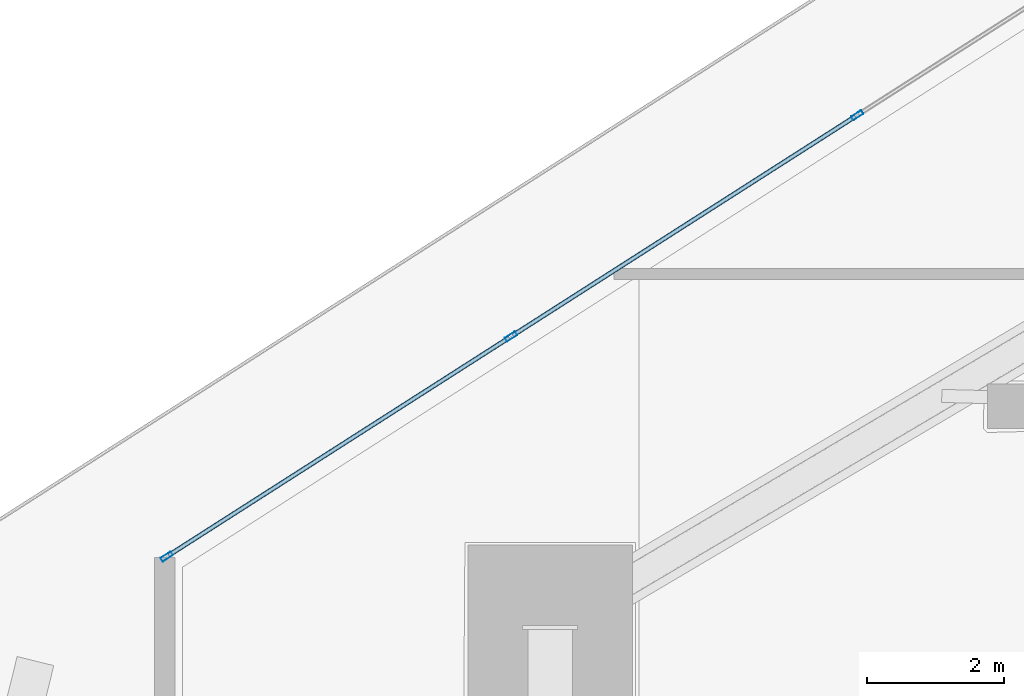
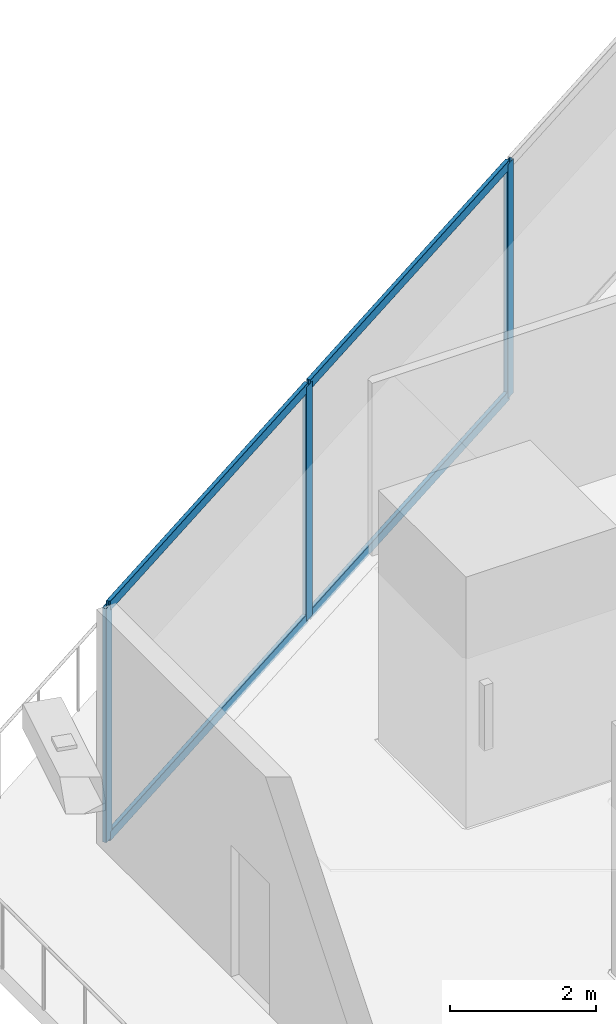
# One storey, part 12 of 43: 7 members, 1 element without a shape of its own.
"""IFC4 building model written with IfcOpenShell, lengths in metres."""

from ifc_helpers import new_model, si_unit, direction, frame, origin, origin_2d, place, context, subcontext, project, spatial, hollow_rectangle, extrude, material, layer, layer_set, material_profile, profile_set, type_object, element, aggregate, save


model = new_model("IFC4")

# Units and contexts
model_context = context("Model", 3, precision=1e-05, world=origin(), true_north=direction((0.0, 1.0)))
body_context = subcontext(model_context, "Body", "Model", "MODEL_VIEW")
ifc_project = project(units=[si_unit("LENGTHUNIT", "METRE"), si_unit("AREAUNIT", "SQUARE_METRE"), si_unit("VOLUMEUNIT", "CUBIC_METRE"), si_unit("PLANEANGLEUNIT", "RADIAN"), si_unit("MASSUNIT", "GRAM", prefix="KILO")], contexts=[model_context])

# Site, building, storey
site_placement = place(None, origin())
site = spatial("IfcSite", under=ifc_project, at=site_placement, CompositionType="ELEMENT")
building_placement = place(site_placement, origin())
building = spatial("IfcBuilding", under=site, at=building_placement, Name="Qorvath Tower", CompositionType="ELEMENT")
storey_placement = place(building_placement, frame((0.0, 0.0, 36.60009765625)))
storey = spatial("IfcBuildingStorey", under=building, at=storey_placement, Name="L07", CompositionType="ELEMENT", Elevation=36.60009765625)

# Curtain wall, members
ifc_material_1 = material(Name="Anodised aluminium and triple low-E glass", Category="aluminium")
ifc_layer = layer(ifc_material_1, 0.179931640625)
ifc_layer_set = layer_set([ifc_layer], Name="CW-SYS-2")
curtain_wall_type = type_object("IfcCurtainWallType", Name="CW-SYS-2", PredefinedType="NOTDEFINED", material=ifc_layer_set)
curtain_wall_placement = place(storey_placement, origin())
curtain_wall = element("IfcCurtainWall", 1, at=curtain_wall_placement, inside=storey, type_object=curtain_wall_type, Name="Curtain Wall CW-2 CW-T-L07-16.3", PredefinedType="NOTDEFINED")
ifc_material_2 = material(Name="Anodised aluminium 6063-T6", Category="aluminium")
ifc_material_profile_1 = material_profile(ifc_material_2, hollow_rectangle(XDim=0.06494140625, YDim=0.179931640625, WallThickness=0.00341796875, InnerFilletRadius=0.00341796875, OuterFilletRadius=0.007080078125, at=origin_2d()), Name="CWM 180x65")
ifc_profile_set_1 = profile_set([ifc_material_profile_1], Name="Anodised aluminium 6063-T6")
member_type_1 = type_object("IfcMemberType", Name="CWM-180", PredefinedType="MULLION", material=ifc_profile_set_1)
member_1_placement = place(storey_placement, frame((-50.80224609375, 10.66748046875, 0.0), z_axis=(0.0, 0.0, 1.0), x_axis=(0.538528741164, -0.84260714152, 0.0)))
member_1 = element("IfcMember", 2, at=member_1_placement, type_object=member_type_1, Name="CW-2 mullion 3", PredefinedType="MULLION", context=body_context, shape_type="SweptSolid", body=[
    extrude(hollow_rectangle(XDim=0.06494140625, YDim=0.179931640625, WallThickness=0.00341796875, InnerFilletRadius=0.00341796875, OuterFilletRadius=0.007080078125, at=origin_2d()), origin(), (0.0, 0.0, 1.0), 3.919921875),
])
member_2_placement = place(storey_placement, frame((-55.852294921875, 7.43994140625, 0.0), z_axis=(0.0, 0.0, 1.0), x_axis=(0.538528741164, -0.84260714152, 0.0)))
member_2 = element("IfcMember", 3, at=member_2_placement, type_object=member_type_1, Name="CW-2 mullion 4", PredefinedType="MULLION", context=body_context, shape_type="SweptSolid", body=[
    extrude(hollow_rectangle(XDim=0.06494140625, YDim=0.179931640625, WallThickness=0.00341796875, InnerFilletRadius=0.00341796875, OuterFilletRadius=0.007080078125, at=origin_2d()), origin(), (0.0, 0.0, 1.0), 3.919921875),
])
member_3_placement = place(storey_placement, frame((-60.875, 4.22998046875, 0.0), z_axis=(0.0, 0.0, 1.0), x_axis=(0.538528741164, -0.84260714152, 0.0)))
member_3 = element("IfcMember", 4, at=member_3_placement, type_object=member_type_1, Name="CW-2 mullion 5", PredefinedType="MULLION", context=body_context, shape_type="SweptSolid", body=[
    extrude(hollow_rectangle(XDim=0.06494140625, YDim=0.179931640625, WallThickness=0.00341796875, InnerFilletRadius=0.00341796875, OuterFilletRadius=0.007080078125, at=origin_2d()), origin(), (0.0, 0.0, 1.0), 3.919921875),
])
ifc_material_3 = material(Name="Anodised aluminium 6063-T6", Category="aluminium")
ifc_material_profile_2 = material_profile(ifc_material_3, hollow_rectangle(XDim=0.06494140625, YDim=0.159912109375, WallThickness=0.00341796875, InnerFilletRadius=0.00341796875, OuterFilletRadius=0.007080078125, at=origin_2d()), Name="CWT 160x65")
ifc_profile_set_2 = profile_set([ifc_material_profile_2], Name="Anodised aluminium 6063-T6")
member_type_2 = type_object("IfcMemberType", Name="CWT-160", PredefinedType="USERDEFINED", material=ifc_profile_set_2)
member_4_placement = place(storey_placement, frame((-50.829833984375, 10.64990234375, 0.032470703125), z_axis=(-0.842615282309, -0.538516003494, 0.0), x_axis=(0.538516003494, -0.842615282309, 0.0)))
member_4 = element("IfcMember", 5, at=member_4_placement, type_object=member_type_2, Name="CW-2 transom 3.1", ObjectType="TRANSOM", PredefinedType="USERDEFINED", context=body_context, shape_type="SweptSolid", body=[
    extrude(hollow_rectangle(XDim=0.06494140625, YDim=0.159912109375, WallThickness=0.00341796875, InnerFilletRadius=0.00341796875, OuterFilletRadius=0.007080078125, at=origin_2d()), origin(), (0.0, 0.0, 1.0), 5.92822265625),
])
member_5_placement = place(storey_placement, frame((-50.829833984375, 10.64990234375, 3.887451171875), z_axis=(-0.842615282309, -0.538516003494, 0.0), x_axis=(0.538516003494, -0.842615282309, 0.0)))
member_5 = element("IfcMember", 6, at=member_5_placement, type_object=member_type_2, Name="CW-2 transom 3.2", ObjectType="TRANSOM", PredefinedType="USERDEFINED", context=body_context, shape_type="SweptSolid", body=[
    extrude(hollow_rectangle(XDim=0.06494140625, YDim=0.159912109375, WallThickness=0.00341796875, InnerFilletRadius=0.00341796875, OuterFilletRadius=0.007080078125, at=origin_2d()), origin(), (0.0, 0.0, 1.0), 5.92822265625),
])
member_6_placement = place(storey_placement, frame((-55.879638671875, 7.42236328125, 0.032470703125), z_axis=(-0.84260439745, -0.538533034639, 0.0), x_axis=(0.538533034639, -0.84260439745, 0.0)))
member_6 = element("IfcMember", 7, at=member_6_placement, type_object=member_type_2, Name="CW-2 transom 4.1", ObjectType="TRANSOM", PredefinedType="USERDEFINED", context=body_context, shape_type="SweptSolid", body=[
    extrude(hollow_rectangle(XDim=0.06494140625, YDim=0.159912109375, WallThickness=0.00341796875, InnerFilletRadius=0.00341796875, OuterFilletRadius=0.007080078125, at=origin_2d()), origin(), (0.0, 0.0, 1.0), 5.895751953125),
])
member_7_placement = place(storey_placement, frame((-55.879638671875, 7.42236328125, 3.887451171875), z_axis=(-0.84260439745, -0.538533034639, 0.0), x_axis=(0.538533034639, -0.84260439745, 0.0)))
member_7 = element("IfcMember", 8, at=member_7_placement, type_object=member_type_2, Name="CW-2 transom 4.2", ObjectType="TRANSOM", PredefinedType="USERDEFINED", context=body_context, shape_type="SweptSolid", body=[
    extrude(hollow_rectangle(XDim=0.06494140625, YDim=0.159912109375, WallThickness=0.00341796875, InnerFilletRadius=0.00341796875, OuterFilletRadius=0.007080078125, at=origin_2d()), origin(), (0.0, 0.0, 1.0), 5.895751953125),
])
aggregate(curtain_wall, [member_1, member_2, member_3, member_4, member_5, member_6, member_7])

save(model, "model.ifc")
